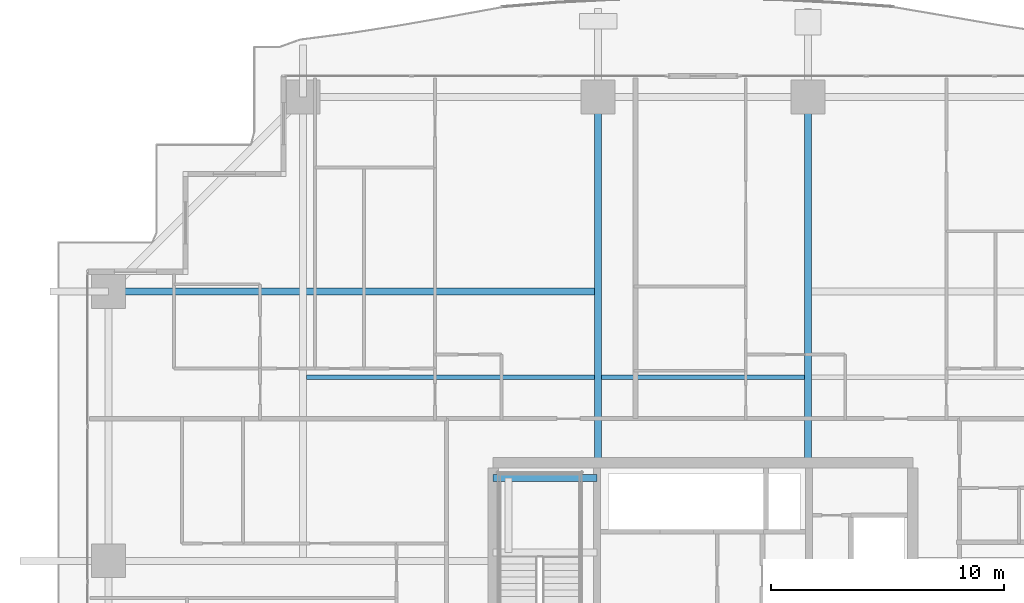
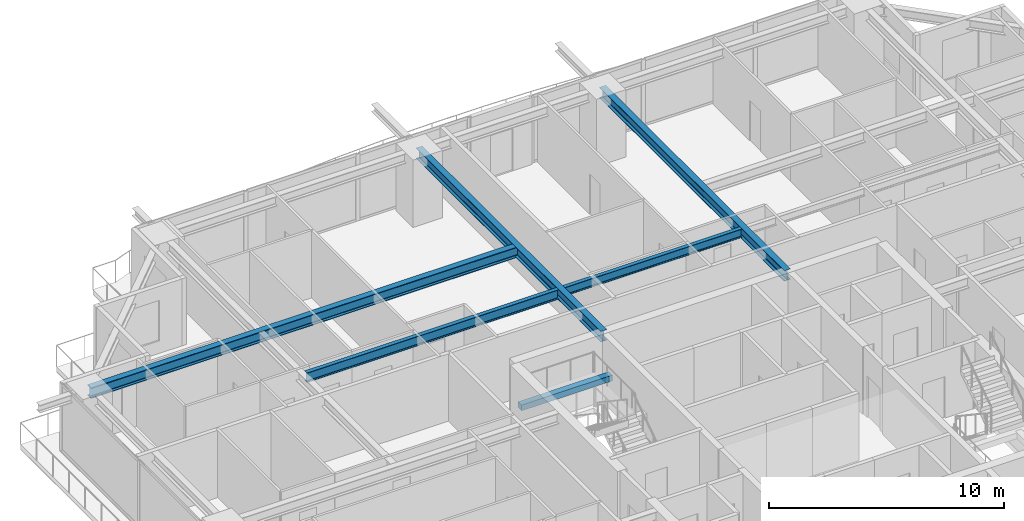
# One storey, part 19 of 38: 6 beams.
"""IFC4 building model written with IfcOpenShell, lengths in metres."""

from ifc_helpers import new_model, si_unit, direction, frame, origin, origin_2d, place, context, subcontext, project, spatial, rectangle, i_section, extrude, source, transform, mapped, material, material_profile, profile_set, type_object, element, save


model = new_model("IFC4")

# Units and contexts
model_context = context("Model", 3, precision=1e-05, world=origin(), true_north=direction((0.0, 1.0)))
body_context = subcontext(model_context, "Body", "Model", "MODEL_VIEW")
ifc_project = project(units=[si_unit("LENGTHUNIT", "METRE"), si_unit("AREAUNIT", "SQUARE_METRE"), si_unit("VOLUMEUNIT", "CUBIC_METRE"), si_unit("PLANEANGLEUNIT", "RADIAN"), si_unit("MASSUNIT", "GRAM", prefix="KILO")], contexts=[model_context])

# Site, building, storey
site_placement = place(None, origin())
site = spatial("IfcSite", under=ifc_project, at=site_placement, CompositionType="ELEMENT")
building_placement = place(site_placement, origin())
building = spatial("IfcBuilding", under=site, at=building_placement, Name="Serunith Strait Residences", CompositionType="ELEMENT")
storey_placement = place(building_placement, frame((0.0, 0.0, 82.949951171875)))
storey = spatial("IfcBuildingStorey", under=building, at=storey_placement, Name="L20", CompositionType="ELEMENT", Elevation=82.949951171875)

# Beams
ifc_material_1 = material(Name="Steel S355J2", Category="steel")
ifc_material_profile_1 = material_profile(ifc_material_1, i_section(OverallWidth=0.300048828125, OverallDepth=0.550048828125, WebThickness=0.014892578125, FlangeThickness=0.029052734375, FilletRadius=0.027099609375, at=origin_2d()), Name="HEB 550")
ifc_profile_set_1 = profile_set([ifc_material_profile_1], Name="Steel S355J2")
beam_type_1 = type_object("IfcBeamType", Name="BM-HEB550", PredefinedType="BEAM", material=ifc_profile_set_1)
shared_shape_1 = source(origin(), body_context, "Body", "SweptSolid", [
    extrude(i_section(OverallWidth=0.300048828125, OverallDepth=0.550048828125, WebThickness=0.014892578125, FlangeThickness=0.029052734375, FilletRadius=0.027099609375, at=origin_2d()), origin(), (0.0, 0.0, 1.0), 15.699951171875),
])
for number, where, z_axis, x_axis, name in (
    (1, (27.89990234375, 33.60009765625, 3.212158203125), (0.0, 1.0, 0.0), (-1.0, 0.0, 0.0), "L20 Primary Floor Girder TC-N2"),
    (2, (36.89990234375, 33.60009765625, 3.212158203125), (0.0, 1.0, 0.0), (-1.0, 0.0, 0.0), "L20 Primary Floor Girder TC-N3"),
):
    element("IfcBeam", number, at=place(storey_placement, frame(where, z_axis=z_axis, x_axis=x_axis)), inside=storey, type_object=beam_type_1, Name=name, PredefinedType="BEAM", context=body_context, shape_type="MappedRepresentation", body=[
        mapped(shared_shape_1, transform((0.0, 0.0, 0.0), scale=1.0)),
    ])
shared_shape_2 = source(origin(), body_context, "Body", "SweptSolid", [
    extrude(i_section(OverallWidth=0.300048828125, OverallDepth=0.550048828125, WebThickness=0.014892578125, FlangeThickness=0.029052734375, FilletRadius=0.027099609375, at=origin_2d()), origin(), (0.0, 0.0, 1.0), 21.0),
])
beam_1_placement = place(storey_placement, frame((27.89990234375, 40.949951171875, 3.212158203125), z_axis=(-1.0, 0.0, 0.0), x_axis=(0.0, -1.0, 0.0)))
element("IfcBeam", 3, at=beam_1_placement, inside=storey, type_object=beam_type_1, Name="L20 Orthogonal Corner Girder TC-W4", PredefinedType="BEAM", context=body_context, shape_type="MappedRepresentation", body=[
    mapped(shared_shape_2, transform((0.0, 0.0, 0.0), scale=1.0)),
])
ifc_material_profile_2 = material_profile(ifc_material_1, i_section(OverallWidth=0.199951171875, OverallDepth=0.5, WebThickness=0.01025390625, FlangeThickness=0.01611328125, FilletRadius=0.02099609375, at=origin_2d()), Name="IPE 500")
ifc_profile_set_2 = profile_set([ifc_material_profile_2], Name="Steel S355J2")
beam_type_2 = type_object("IfcBeamType", Name="BM-IPE500", PredefinedType="JOIST", material=ifc_profile_set_2)
shared_shape_3 = source(origin(), body_context, "Body", "SweptSolid", [
    extrude(i_section(OverallWidth=0.199951171875, OverallDepth=0.5, WebThickness=0.01025390625, FlangeThickness=0.01611328125, FilletRadius=0.02099609375, at=origin_2d()), origin(), (0.0, 0.0, 1.0), 12.35009765625),
])
beam_2_placement = place(storey_placement, frame((15.39990234375, 37.27490234375, 3.237060546875), z_axis=(1.0, 0.0, 0.0), x_axis=(0.0, 1.0, 0.0)))
element("IfcBeam", 4, at=beam_2_placement, inside=storey, type_object=beam_type_2, Name="L20 Composite Floor Joist 04", PredefinedType="JOIST", context=body_context, shape_type="MappedRepresentation", body=[
    mapped(shared_shape_3, transform((0.0, 0.0, 0.0), scale=1.0)),
])
ifc_material_profile_3 = material_profile(ifc_material_1, i_section(OverallWidth=0.18994140625, OverallDepth=0.449951171875, WebThickness=0.009521484375, FlangeThickness=0.0146484375, FilletRadius=0.02099609375, at=origin_2d()), Name="IPE 450")
ifc_profile_set_3 = profile_set([ifc_material_profile_3], Name="Steel S355J2")
beam_type_3 = type_object("IfcBeamType", Name="BM-IPE450", PredefinedType="JOIST", material=ifc_profile_set_3)
shared_shape_4 = source(origin(), body_context, "Body", "SweptSolid", [
    extrude(i_section(OverallWidth=0.18994140625, OverallDepth=0.449951171875, WebThickness=0.009521484375, FlangeThickness=0.0146484375, FilletRadius=0.02099609375, at=origin_2d()), origin(), (0.0, 0.0, 1.0), 8.699951171875),
])
beam_3_placement = place(storey_placement, frame((28.050048828125, 37.27490234375, 3.261962890625), z_axis=(1.0, 0.0, 0.0), x_axis=(0.0, 1.0, 0.0)))
element("IfcBeam", 5, at=beam_3_placement, inside=storey, type_object=beam_type_3, Name="L20 Composite Floor Joist 05", PredefinedType="JOIST", context=body_context, shape_type="MappedRepresentation", body=[
    mapped(shared_shape_4, transform((0.0, 0.0, 0.0), scale=1.0)),
])
ifc_material_2 = material(Name="Concrete C60/75", Category="concrete")
ifc_material_profile_4 = material_profile(ifc_material_2, rectangle(XDim=0.300048828125, YDim=0.300048828125, at=origin_2d()), Name="RC 300x300")
ifc_profile_set_4 = profile_set([ifc_material_profile_4], Name="Concrete C60/75")
beam_type_4 = type_object("IfcBeamType", Name="BM-LAND-300x300", PredefinedType="BEAM", material=ifc_profile_set_4)
shared_shape_5 = source(origin(), body_context, "Body", "SweptSolid", [
    extrude(rectangle(XDim=0.300048828125, YDim=0.300048828125, at=origin_2d()), origin(), (0.0, 0.0, 1.0), 4.4501953125),
])
beam_4_placement = place(storey_placement, frame((23.39990234375, 32.949951171875, 1.525146484375), z_axis=(1.0, 0.0, 0.0), x_axis=(0.0, 1.0, 0.0)))
element("IfcBeam", 6, at=beam_4_placement, inside=storey, type_object=beam_type_4, Name="L20 ST-1 Landing Support Beam 2", PredefinedType="BEAM", context=body_context, shape_type="MappedRepresentation", body=[
    mapped(shared_shape_5, transform((0.0, 0.0, 0.0), scale=1.0)),
])

save(model, "model.ifc")
